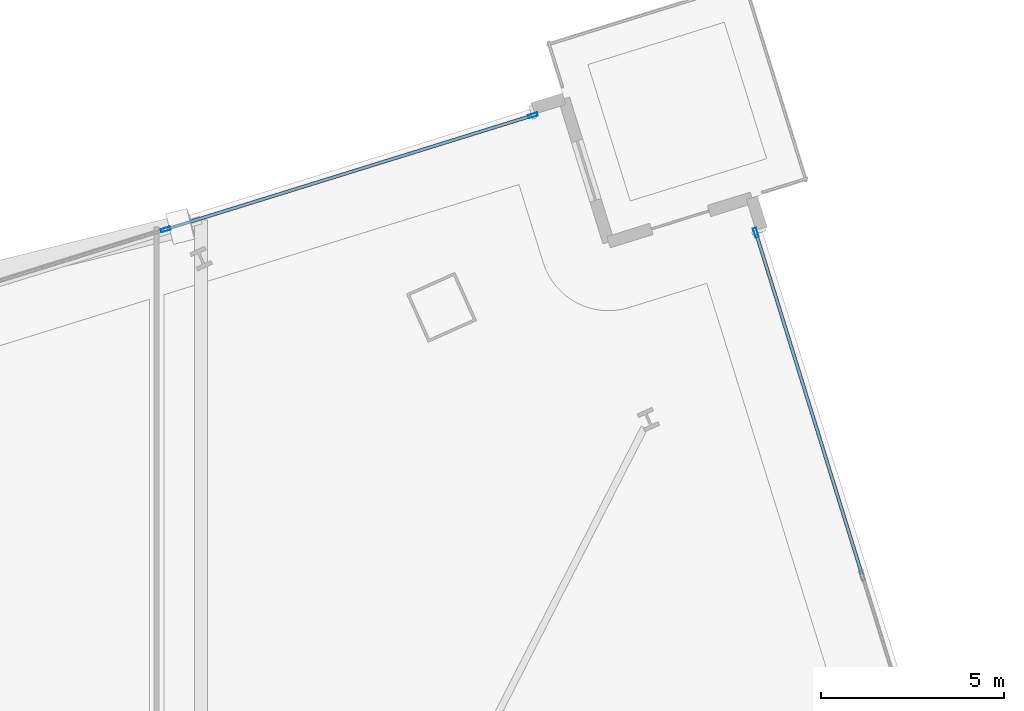
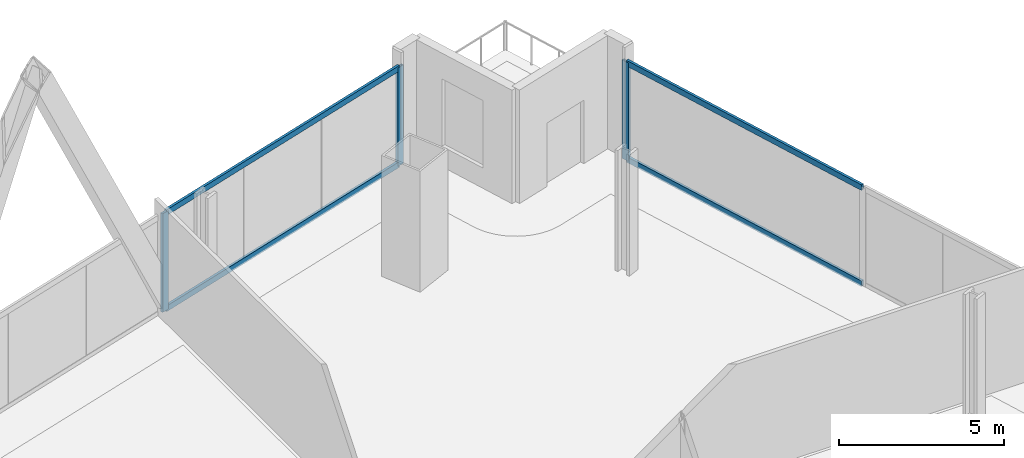
# One storey, part 14 of 26: 7 members, 2 elements without a shape of their own.
"""IFC4 building model written with IfcOpenShell, lengths in metres."""

import ifcopenshell
import ifcopenshell.guid

model = None  # the IFC model being written
_history = None  # IfcOwnerHistory: only IFC2X3 demands one
_inside = {}  # id of a spatial element -> (the spatial element, [elements in it])
_under = {}  # id of a project, library or spatial element -> (it, [spatial elements below it])
_declared = {}  # id of a project -> (the project, [libraries it declares])
_typed = {}  # id of a type object -> (the type object, [elements of that type])
_made_of = {}  # id of a material, layer set ... -> (it, [elements and type objects made of it])


def new_model(schema):
    """Start an empty IFC model of exactly this schema.

    Asked for "IFC4X3", IfcOpenShell would pick the latest addendum, in which some entities
    have other attributes; the version numbers below select the first issue.
    IFC2X3 requires an IfcOwnerHistory on every rooted entity: one is made here for all.
    """
    global model, _history
    if schema == "IFC4X3":
        model = ifcopenshell.file(schema_version=(4, 3, 0, 0))
    else:
        model = ifcopenshell.file(schema=schema)
    _inside.clear()
    _under.clear()
    _declared.clear()
    _typed.clear()
    _made_of.clear()
    _history = None
    if model.schema == "IFC2X3":
        org = make("IfcOrganization", Name="unknown")
        user = make(
            "IfcPersonAndOrganization",
            ThePerson=make("IfcPerson", FamilyName="unknown"),
            TheOrganization=org,
        )
        app = make(
            "IfcApplication",
            ApplicationDeveloper=org,
            Version="unknown",
            ApplicationFullName="unknown",
            ApplicationIdentifier="unknown",
        )
        _history = make(
            "IfcOwnerHistory",
            OwningUser=user,
            OwningApplication=app,
            ChangeAction="ADDED",
            CreationDate=0,
        )
    return model


def make(cls, **values):
    """One entity of the class cls with the attributes given. An attribute that is None is left unset."""
    return model.create_entity(
        cls, **{name: value for name, value in values.items() if value is not None}
    )


def rooted(cls, **values):
    """An entity with a GlobalId (a new one), such as an element, a storey or a relation."""
    return make(cls, GlobalId=ifcopenshell.guid.new(), OwnerHistory=_history, **values)


def si_unit(unit_type, name, prefix=None):
    """IfcSIUnit, for example si_unit("LENGTHUNIT", "METRE", prefix="MILLI")."""
    return make("IfcSIUnit", UnitType=unit_type, Prefix=prefix, Name=name)


def assignment(units):
    """IfcUnitAssignment: the units of a project."""
    return None if units is None else make("IfcUnitAssignment", Units=units)


def point(xyz):
    """IfcCartesianPoint."""
    return None if xyz is None else make("IfcCartesianPoint", Coordinates=xyz)


def direction(xyz):
    """IfcDirection."""
    return None if xyz is None else make("IfcDirection", DirectionRatios=xyz)


def frame(location, z_axis=None, x_axis=None):
    """IfcAxis2Placement3D, a coordinate frame: its origin and axes. An axis left out is left unset."""
    return make(
        "IfcAxis2Placement3D",
        Location=point(location),
        Axis=direction(z_axis),
        RefDirection=direction(x_axis),
    )


def frame_2d(location, x_axis=None):
    """IfcAxis2Placement2D, a coordinate frame in the plane: its origin and x axis."""
    return make(
        "IfcAxis2Placement2D", Location=point(location), RefDirection=direction(x_axis)
    )


def origin():
    """The frame at (0, 0, 0) with its axes left unset."""
    return frame((0.0, 0.0, 0.0))


def origin_2d():
    """The frame at (0, 0) in the plane with its x axis left unset."""
    return frame_2d((0.0, 0.0))


def place(relative_to, where):
    """IfcLocalPlacement: puts the frame where relative to a parent placement (None: the world)."""
    return make(
        "IfcLocalPlacement", PlacementRelTo=relative_to, RelativePlacement=where
    )


def context(
    kind, dimensions, precision=None, world=None, true_north=None, identifier=None
):
    """IfcGeometricRepresentationContext, for example the 3D "Model" context."""
    return make(
        "IfcGeometricRepresentationContext",
        ContextIdentifier=identifier,
        ContextType=kind,
        CoordinateSpaceDimension=dimensions,
        Precision=precision,
        WorldCoordinateSystem=world,
        TrueNorth=true_north,
    )


def subcontext(parent, identifier, kind, view, scale=None):
    """IfcGeometricRepresentationSubContext, for example "Body" below "Model"."""
    return make(
        "IfcGeometricRepresentationSubContext",
        ContextIdentifier=identifier,
        ContextType=kind,
        ParentContext=parent,
        TargetScale=scale,
        TargetView=view,
    )


def project(units=None, contexts=None):
    """IfcProject with its units and contexts."""
    return rooted(
        "IfcProject",
        Name="project",
        RepresentationContexts=contexts,
        UnitsInContext=assignment(units),
    )


def spatial(cls, under=None, at=None, **own):
    """A site, building, storey or space (cls), placed at a placement, below another one or the project."""
    s = rooted(cls, ObjectPlacement=at, **own)
    if under is not None:
        _under.setdefault(under.id(), (under, []))[1].append(s)
    return s


def profile(cls, at=None, kind="AREA", **sizes):
    """A parametric profile (cls). Its sizes go by their IFC names, for example OverallWidth=200.0."""
    return make(cls, ProfileType=kind, Position=at, **sizes)


def hollow_rectangle(**sizes):
    """IfcRectangleHollowProfileDef."""
    return profile("IfcRectangleHollowProfileDef", **sizes)


def extrude(swept, where, along, depth):
    """IfcExtrudedAreaSolid: the profile swept, set in the frame where, extruded along a direction by depth."""
    return make(
        "IfcExtrudedAreaSolid",
        SweptArea=swept,
        Position=where,
        ExtrudedDirection=direction(along),
        Depth=depth,
    )


def shape(context_of_items, identifier, shape_type, items):
    """IfcShapeRepresentation: the items that make up one representation, for example the "Body"."""
    return make(
        "IfcShapeRepresentation",
        ContextOfItems=context_of_items,
        RepresentationIdentifier=identifier,
        RepresentationType=shape_type,
        Items=items,
    )


def material(Name=None, Category=None):
    """IfcMaterial."""
    return make("IfcMaterial", Name=Name, Category=Category)


def material_profile(
    of_material, cross_section, Name=None, Category=None, Priority=None
):
    """IfcMaterialProfile: a cross section and its material."""
    return make(
        "IfcMaterialProfile",
        Name=Name,
        Material=of_material,
        Profile=cross_section,
        Priority=Priority,
        Category=Category,
    )


def profile_set(profiles, Name=None, composite=None):
    """IfcMaterialProfileSet."""
    return make(
        "IfcMaterialProfileSet",
        Name=Name,
        MaterialProfiles=profiles,
        CompositeProfile=composite,
    )


def made_of(thing, what):
    """Note that an element or type object is made of a material, layer set ...; save() writes the relation."""
    if what is not None:
        _made_of.setdefault(what.id(), (what, []))[1].append(thing)
    return thing


def type_object(cls, material=None, **own):
    """A type object (cls), such as IfcWallType, which elements share."""
    return made_of(rooted(cls, **own), material)


def element(
    cls,
    number,
    at=None,
    inside=None,
    cuts=None,
    type_object=None,
    material=None,
    context=None,
    identifier="Body",
    shape_type=None,
    held_by="IfcProductDefinitionShape",
    body=None,
    shapes=None,
    **own,
):
    """One element of the class cls, such as IfcWall. Its Tag is "e" and its number.

    at: its placement. inside: the storey or other place that contains it. cuts: it is an
    opening in that element (IfcRelVoidsElement). A single representation is given by context,
    identifier, shape_type and body (its items); several are given by shapes. held_by: the class
    of the entity that holds the representations. save() writes the other relations.
    """
    e = rooted(cls, Tag="e%d" % number, ObjectPlacement=at, **own)
    if body is not None:
        shapes = [shape(context, identifier, shape_type, body)]
    if shapes is not None:
        e.Representation = make(held_by, Representations=shapes)
    if inside is not None:
        _inside.setdefault(inside.id(), (inside, []))[1].append(e)
    if cuts is not None:
        rooted(
            "IfcRelVoidsElement", RelatingBuildingElement=cuts, RelatedOpeningElement=e
        )
    if type_object is not None:
        _typed.setdefault(type_object.id(), (type_object, []))[1].append(e)
    return made_of(e, material)


def aggregate(whole, parts):
    """IfcRelAggregates: a whole, such as a stair, and the parts it consists of."""
    return rooted("IfcRelAggregates", RelatingObject=whole, RelatedObjects=parts)


def save(model, path):
    """Write the relations noted so far, then the file.

    IfcRelAggregates (storeys below a building ...), IfcRelContainedInSpatialStructure (elements
    in a storey), IfcRelDefinesByType, IfcRelAssociatesMaterial and IfcRelDeclares: one each for
    every whole, place, type object, material and project.
    """
    for whole, parts in _under.values():
        aggregate(whole, parts)
    for where, things in _inside.values():
        rooted(
            "IfcRelContainedInSpatialStructure",
            RelatedElements=things,
            RelatingStructure=where,
        )
    for kind, things in _typed.values():
        rooted("IfcRelDefinesByType", RelatedObjects=things, RelatingType=kind)
    for what, things in _made_of.values():
        rooted("IfcRelAssociatesMaterial", RelatedObjects=things, RelatingMaterial=what)
    for by, libraries in _declared.values():
        rooted("IfcRelDeclares", RelatingContext=by, RelatedDefinitions=libraries)
    model.write(path)


model = new_model("IFC4")

# Units and contexts
model_context = context("Model", 3, precision=1e-05, world=origin(), true_north=direction((0.0, 1.0)))
body_context = subcontext(model_context, "Body", "Model", "MODEL_VIEW")
ifc_project = project(units=[si_unit("LENGTHUNIT", "METRE"), si_unit("AREAUNIT", "SQUARE_METRE"), si_unit("VOLUMEUNIT", "CUBIC_METRE"), si_unit("PLANEANGLEUNIT", "RADIAN"), si_unit("MASSUNIT", "GRAM", prefix="KILO")], contexts=[model_context])

# Site, building, storey
site_placement = place(None, origin())
site = spatial("IfcSite", under=ifc_project, at=site_placement, CompositionType="ELEMENT")
building_placement = place(site_placement, origin())
building = spatial("IfcBuilding", under=site, at=building_placement, Name="Haldenkirk Collegiate Tower", CompositionType="ELEMENT")
storey_placement = place(building_placement, frame((0.0, 0.0, 85.949951171875)))
storey = spatial("IfcBuildingStorey", under=building, at=storey_placement, Name="L20", CompositionType="ELEMENT", Elevation=85.949951171875)

# Curtain wall, member
ifc_material = material(Name="Anodised architectural bronze aluminium", Category="aluminium")
curtain_wall_type = type_object("IfcCurtainWallType", Name="CW-SYS4-SKYGARDEN", PredefinedType="USERDEFINED", material=ifc_material)
curtain_wall_1_placement = place(storey_placement, origin())
curtain_wall_1 = element("IfcCurtainWall", 1, at=curtain_wall_1_placement, inside=storey, type_object=curtain_wall_type, Name="L20 Sky-garden tall bronze curtain wall", ObjectType="UNITISED CURTAIN WALL", PredefinedType="USERDEFINED")
ifc_material_profile_1 = material_profile(ifc_material, hollow_rectangle(XDim=0.090087890625, YDim=0.260009765625, WallThickness=0.0048828125, at=origin_2d()), Name="CW-MUL-04")
ifc_profile_set_1 = profile_set([ifc_material_profile_1], Name="Anodised architectural bronze aluminium")
member_type_1 = type_object("IfcMemberType", Name="CW-MUL-04", PredefinedType="MULLION", material=ifc_profile_set_1)
member_1_placement = place(storey_placement, frame((54.866455078125, 52.648193359375, 0.0), z_axis=(0.0, 0.0, 1.0), x_axis=(0.955020249653, 0.296540592082, 0.0)))
member_1 = element("IfcMember", 2, at=member_1_placement, type_object=member_type_1, Name="CW-04 mullion 1", PredefinedType="MULLION", context=body_context, shape_type="SweptSolid", body=[
    extrude(hollow_rectangle(XDim=0.090087890625, YDim=0.260009765625, WallThickness=0.0048828125, at=origin_2d()), origin(), (0.0, 0.0, 1.0), 3.651123046875),
])

# Curtain wall, members
curtain_wall_2_placement = place(storey_placement, origin())
curtain_wall_2 = element("IfcCurtainWall", 3, at=curtain_wall_2_placement, inside=storey, type_object=curtain_wall_type, Name="L20 Sky-garden tall bronze curtain wall", ObjectType="UNITISED CURTAIN WALL", PredefinedType="USERDEFINED")
member_2_placement = place(storey_placement, frame((38.7451171875, 52.736572265625, 0.0), z_axis=(0.0, 0.0, 1.0), x_axis=(-0.29654000631, 0.955020431539, 0.0)))
member_2 = element("IfcMember", 4, at=member_2_placement, type_object=member_type_1, Name="CW-04 mullion 4", PredefinedType="MULLION", context=body_context, shape_type="SweptSolid", body=[
    extrude(hollow_rectangle(XDim=0.090087890625, YDim=0.260009765625, WallThickness=0.0048828125, at=origin_2d()), origin(), (0.0, 0.0, 1.0), 3.651123046875),
])
member_3_placement = place(storey_placement, frame((48.777587890625, 55.851806640625, 0.0), z_axis=(0.0, 0.0, 1.0), x_axis=(-0.29654000631, 0.955020431539, 0.0)))
member_3 = element("IfcMember", 5, at=member_3_placement, type_object=member_type_1, Name="CW-04 mullion 5", PredefinedType="MULLION", context=body_context, shape_type="SweptSolid", body=[
    extrude(hollow_rectangle(XDim=0.090087890625, YDim=0.260009765625, WallThickness=0.0048828125, at=origin_2d()), origin(), (0.0, 0.0, 1.0), 3.651123046875),
])

# Member
ifc_material_profile_2 = material_profile(ifc_material, hollow_rectangle(XDim=0.090087890625, YDim=0.2099609375, WallThickness=0.0048828125, at=origin_2d()), Name="CW-TRN-04")
ifc_profile_set_2 = profile_set([ifc_material_profile_2], Name="Anodised architectural bronze aluminium")
member_type_2 = type_object("IfcMemberType", Name="CW-TRN-04", PredefinedType="USERDEFINED", material=ifc_profile_set_2)
member_4_placement = place(storey_placement, frame((54.879638671875, 52.605224609375, 0.045166015625), z_axis=(0.296535955914, -0.955021689204, 0.0), x_axis=(0.955021689204, 0.296535955914, 0.0)))
member_4 = element("IfcMember", 6, at=member_4_placement, type_object=member_type_2, Name="CW-04 transom 1.1", ObjectType="TRANSOM", PredefinedType="USERDEFINED", context=body_context, shape_type="SweptSolid", body=[
    extrude(hollow_rectangle(XDim=0.090087890625, YDim=0.2099609375, WallThickness=0.0048828125, at=origin_2d()), origin(), (0.0, 0.0, 1.0), 9.715087890625),
])

member_5_placement = place(storey_placement, frame((54.879638671875, 52.605224609375, 3.60595703125), z_axis=(0.296535955914, -0.955021689204, 0.0), x_axis=(0.955021689204, 0.296535955914, 0.0)))
member_5 = element("IfcMember", 7, at=member_5_placement, type_object=member_type_2, Name="CW-04 transom 1.2", ObjectType="TRANSOM", PredefinedType="USERDEFINED", context=body_context, shape_type="SweptSolid", body=[
    extrude(hollow_rectangle(XDim=0.090087890625, YDim=0.2099609375, WallThickness=0.0048828125, at=origin_2d()), origin(), (0.0, 0.0, 1.0), 9.715087890625),
])

aggregate(curtain_wall_1, [member_1, member_4, member_5])

member_6_placement = place(storey_placement, frame((38.7880859375, 52.75, 0.045166015625), z_axis=(0.955022711103, 0.296532664772, 0.0), x_axis=(-0.296532664772, 0.955022711103, 0.0)))
member_6 = element("IfcMember", 8, at=member_6_placement, type_object=member_type_2, Name="CW-04 transom 4.1", ObjectType="TRANSOM", PredefinedType="USERDEFINED", context=body_context, shape_type="SweptSolid", body=[
    extrude(hollow_rectangle(XDim=0.090087890625, YDim=0.2099609375, WallThickness=0.0048828125, at=origin_2d()), origin(), (0.0, 0.0, 1.0), 10.4150390625),
])

member_7_placement = place(storey_placement, frame((38.7880859375, 52.75, 3.60595703125), z_axis=(0.955022711103, 0.296532664772, 0.0), x_axis=(-0.296532664772, 0.955022711103, 0.0)))
member_7 = element("IfcMember", 9, at=member_7_placement, type_object=member_type_2, Name="CW-04 transom 4.2", ObjectType="TRANSOM", PredefinedType="USERDEFINED", context=body_context, shape_type="SweptSolid", body=[
    extrude(hollow_rectangle(XDim=0.090087890625, YDim=0.2099609375, WallThickness=0.0048828125, at=origin_2d()), origin(), (0.0, 0.0, 1.0), 10.4150390625),
])

aggregate(curtain_wall_2, [member_2, member_3, member_6, member_7])

save(model, "model.ifc")
